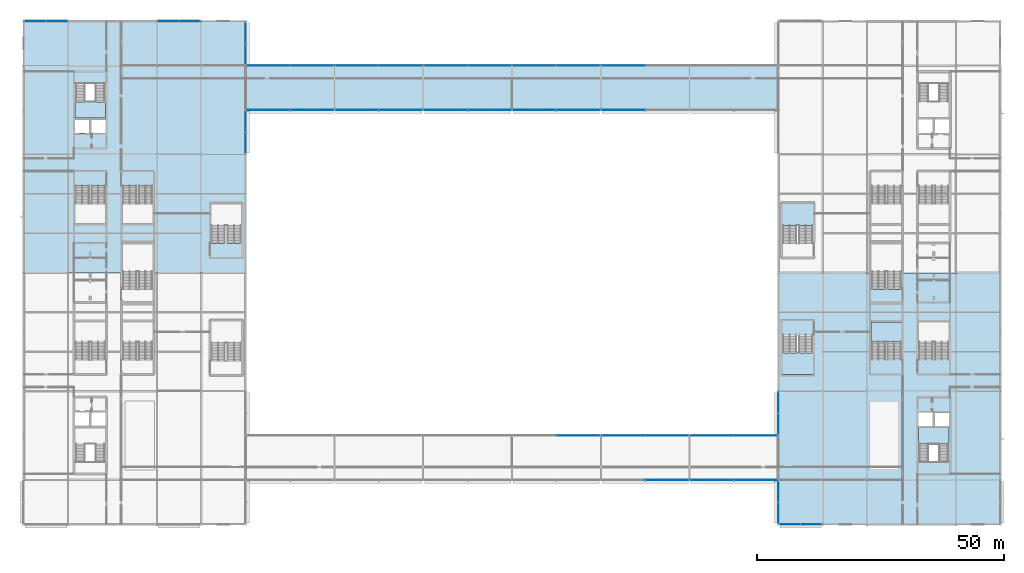
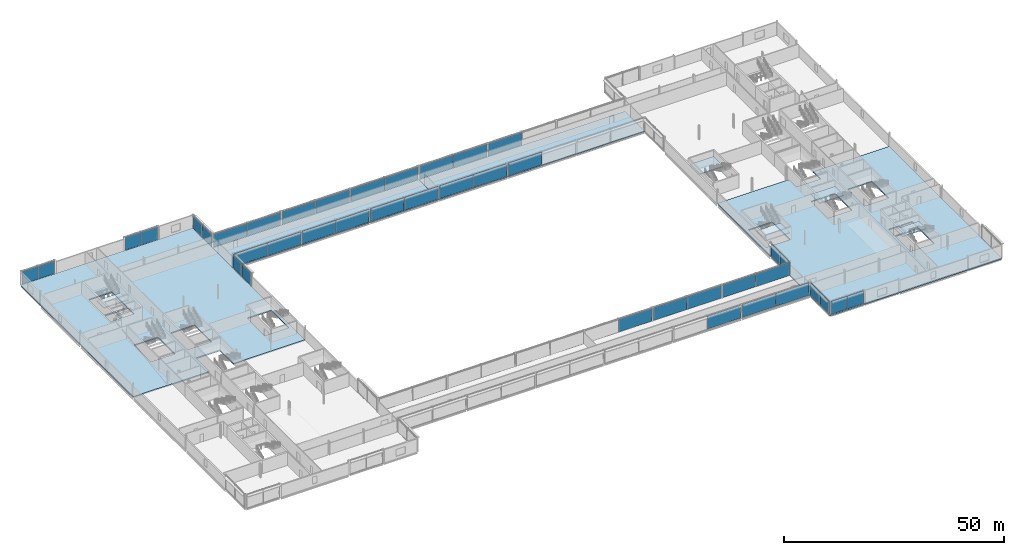
# One storey, part 51 of 96: 40 plates, 9 slabs, 27 elements without a shape of their own.
"""IFC4 building model written with IfcOpenShell, lengths in metres."""

from ifc_helpers import new_model, si_unit, direction, frame, origin, origin_2d, place, context, subcontext, project, spatial, polyline, rectangle, outline, extrude, material, layer, layer_set, type_object, element, aggregate, save


model = new_model("IFC4")

# Units and contexts
model_context = context("Model", 3, precision=1e-05, world=origin(), true_north=direction((0.0, 1.0)))
body_context = subcontext(model_context, "Body", "Model", "MODEL_VIEW")
ifc_project = project(units=[si_unit("LENGTHUNIT", "METRE"), si_unit("AREAUNIT", "SQUARE_METRE"), si_unit("VOLUMEUNIT", "CUBIC_METRE"), si_unit("PLANEANGLEUNIT", "RADIAN"), si_unit("MASSUNIT", "GRAM", prefix="KILO")], contexts=[model_context])

# Site, building, storey
site_placement = place(None, origin())
site = spatial("IfcSite", under=ifc_project, at=site_placement, CompositionType="ELEMENT")
building_placement = place(site_placement, origin())
building = spatial("IfcBuilding", under=site, at=building_placement, Name="Kisiwana Market Hall", CompositionType="ELEMENT")
storey_placement = place(building_placement, frame((0.0, 0.0, 25.5)))
storey = spatial("IfcBuildingStorey", under=building, at=storey_placement, Name="L05", CompositionType="ELEMENT", Elevation=25.5)

# Curtain wall, plates
ifc_material_1 = material(Name="Double-glazed solar-control low-E IGU", Category="glass")
ifc_layer_1 = layer(ifc_material_1, 0.159912109375)
ifc_layer_set_1 = layer_set([ifc_layer_1], Name="CW-ZNA-EW-8200")
curtain_wall_type = type_object("IfcCurtainWallType", Name="CW-ZNA-EW-8200", PredefinedType="USERDEFINED", material=ifc_layer_set_1)
curtain_wall_1_placement = place(storey_placement, origin())
curtain_wall_1 = element("IfcCurtainWall", 1, at=curtain_wall_1_placement, inside=storey, type_object=curtain_wall_type, Name="Unitised curtain wall CW-131 (L05)", ObjectType="UNITISED CURTAIN WALL", PredefinedType="USERDEFINED")
ifc_material_2 = material(Name="Double-glazed solar-control low-E IGU", Category="glass")
ifc_layer_2 = layer(ifc_material_2, 0.02392578125)
ifc_layer_set_2 = layer_set([ifc_layer_2], Name="PL-IGU-24")
plate_type_1 = type_object("IfcPlateType", Name="PL-IGU-24", PredefinedType="CURTAIN_PANEL", material=ifc_layer_set_2)
plate_1_placement = place(storey_placement, frame((155.36669921875, 9.0, 0.06005859375), z_axis=(0.0, 0.0, 1.0), x_axis=(1.0, 0.0, 0.0)))
plate_1 = element("IfcPlate", 2, at=plate_1_placement, type_object=plate_type_1, Name="CW-131 panel 1.1", PredefinedType="CURTAIN_PANEL", context=body_context, shape_type="SweptSolid", body=[
    extrude(rectangle(XDim=4.206787109375, YDim=0.02392578125, at=origin_2d()), origin(), (0.0, 0.0, 1.0), 3.534912109375),
])
plate_2_placement = place(storey_placement, frame((159.63330078125, 9.0, 0.06005859375), z_axis=(0.0, 0.0, 1.0), x_axis=(1.0, 0.0, 0.0)))
plate_2 = element("IfcPlate", 3, at=plate_2_placement, type_object=plate_type_1, Name="CW-131 panel 2.1", PredefinedType="CURTAIN_PANEL", context=body_context, shape_type="SweptSolid", body=[
    extrude(rectangle(XDim=4.206787109375, YDim=0.02392578125, at=origin_2d()), origin(), (0.0, 0.0, 1.0), 3.534912109375),
])
aggregate(curtain_wall_1, [plate_1, plate_2])

curtain_wall_2_placement = place(storey_placement, origin())
curtain_wall_2 = element("IfcCurtainWall", 4, at=curtain_wall_2_placement, inside=storey, type_object=curtain_wall_type, Name="Unitised curtain wall CW-137 (L05)", ObjectType="UNITISED CURTAIN WALL", PredefinedType="USERDEFINED")
plate_3_placement = place(storey_placement, frame((139.557861328125, 18.0, 0.06005859375), z_axis=(0.0, 0.0, 1.0), x_axis=(1.0, 0.0, 0.0)))
plate_3 = element("IfcPlate", 5, at=plate_3_placement, type_object=plate_type_1, Name="CW-137 panel 1.1", PredefinedType="CURTAIN_PANEL", context=body_context, shape_type="SweptSolid", body=[
    extrude(rectangle(XDim=8.745849609375, YDim=0.02392578125, at=origin_2d()), origin(), (0.0, 0.0, 1.0), 3.534912109375),
])
plate_4_placement = place(storey_placement, frame((148.36376953125, 18.0, 0.06005859375), z_axis=(0.0, 0.0, 1.0), x_axis=(1.0, 0.0, 0.0)))
plate_4 = element("IfcPlate", 6, at=plate_4_placement, type_object=plate_type_1, Name="CW-137 panel 2.1", PredefinedType="CURTAIN_PANEL", context=body_context, shape_type="SweptSolid", body=[
    extrude(rectangle(XDim=8.745849609375, YDim=0.02392578125, at=origin_2d()), origin(), (0.0, 0.0, 1.0), 3.534912109375),
])
aggregate(curtain_wall_2, [plate_3, plate_4])

# Curtain wall, plate
curtain_wall_3_placement = place(storey_placement, origin())
curtain_wall_3 = element("IfcCurtainWall", 7, at=curtain_wall_3_placement, inside=storey, type_object=curtain_wall_type, Name="Unitised curtain wall CW-141 (L05)", ObjectType="UNITISED CURTAIN WALL", PredefinedType="USERDEFINED")
plate_5_placement = place(storey_placement, frame((112.422607421875, 27.0, 0.06005859375), z_axis=(0.0, 0.0, 1.0), x_axis=(1.0, 0.0, 0.0)))
plate_5 = element("IfcPlate", 8, at=plate_5_placement, type_object=plate_type_1, Name="CW-141 panel 2.1", PredefinedType="CURTAIN_PANEL", context=body_context, shape_type="SweptSolid", body=[
    extrude(rectangle(XDim=8.784912109375, YDim=0.02392578125, at=origin_2d()), origin(), (0.0, 0.0, 1.0), 3.534912109375),
])
aggregate(curtain_wall_3, [plate_5])

# Curtain wall, plates
curtain_wall_4_placement = place(storey_placement, origin())
curtain_wall_4 = element("IfcCurtainWall", 9, at=curtain_wall_4_placement, inside=storey, type_object=curtain_wall_type, Name="Unitised curtain wall CW-143 (L05)", ObjectType="UNITISED CURTAIN WALL", PredefinedType="USERDEFINED")
plate_6_placement = place(storey_placement, frame((139.557861328125, 27.0, 0.06005859375), z_axis=(0.0, 0.0, 1.0), x_axis=(1.0, 0.0, 0.0)))
plate_6 = element("IfcPlate", 10, at=plate_6_placement, type_object=plate_type_1, Name="CW-143 panel 1.1", PredefinedType="CURTAIN_PANEL", context=body_context, shape_type="SweptSolid", body=[
    extrude(rectangle(XDim=8.745849609375, YDim=0.02392578125, at=origin_2d()), origin(), (0.0, 0.0, 1.0), 3.534912109375),
])
plate_7_placement = place(storey_placement, frame((148.36376953125, 27.0, 0.06005859375), z_axis=(0.0, 0.0, 1.0), x_axis=(1.0, 0.0, 0.0)))
plate_7 = element("IfcPlate", 11, at=plate_7_placement, type_object=plate_type_1, Name="CW-143 panel 2.1", PredefinedType="CURTAIN_PANEL", context=body_context, shape_type="SweptSolid", body=[
    extrude(rectangle(XDim=8.745849609375, YDim=0.02392578125, at=origin_2d()), origin(), (0.0, 0.0, 1.0), 3.534912109375),
])
aggregate(curtain_wall_4, [plate_6, plate_7])

curtain_wall_5_placement = place(storey_placement, origin())
curtain_wall_5 = element("IfcCurtainWall", 12, at=curtain_wall_5_placement, inside=storey, type_object=curtain_wall_type, Name="Unitised curtain wall CW-145 (L05)", ObjectType="UNITISED CURTAIN WALL", PredefinedType="USERDEFINED")
plate_8_placement = place(storey_placement, frame((67.577392578125, 93.0, 0.06005859375), z_axis=(0.0, 0.0, 1.0), x_axis=(1.0, 0.0, 0.0)))
plate_8 = element("IfcPlate", 13, at=plate_8_placement, type_object=plate_type_1, Name="CW-145 panel 1.1", PredefinedType="CURTAIN_PANEL", context=body_context, shape_type="SweptSolid", body=[
    extrude(rectangle(XDim=8.784912109375, YDim=0.02392578125, at=origin_2d()), origin(), (0.0, 0.0, 1.0), 3.534912109375),
])
plate_9_placement = place(storey_placement, frame((76.422607421875, 93.0, 0.06005859375), z_axis=(0.0, 0.0, 1.0), x_axis=(1.0, 0.0, 0.0)))
plate_9 = element("IfcPlate", 14, at=plate_9_placement, type_object=plate_type_1, Name="CW-145 panel 2.1", PredefinedType="CURTAIN_PANEL", context=body_context, shape_type="SweptSolid", body=[
    extrude(rectangle(XDim=8.784912109375, YDim=0.02392578125, at=origin_2d()), origin(), (0.0, 0.0, 1.0), 3.534912109375),
])
aggregate(curtain_wall_5, [plate_8, plate_9])

curtain_wall_6_placement = place(storey_placement, origin())
curtain_wall_6 = element("IfcCurtainWall", 15, at=curtain_wall_6_placement, inside=storey, type_object=curtain_wall_type, Name="Unitised curtain wall CW-147 (L05)", ObjectType="UNITISED CURTAIN WALL", PredefinedType="USERDEFINED")
plate_10_placement = place(storey_placement, frame((103.577392578125, 93.0, 0.06005859375), z_axis=(0.0, 0.0, 1.0), x_axis=(1.0, 0.0, 0.0)))
plate_10 = element("IfcPlate", 16, at=plate_10_placement, type_object=plate_type_1, Name="CW-147 panel 1.1", PredefinedType="CURTAIN_PANEL", context=body_context, shape_type="SweptSolid", body=[
    extrude(rectangle(XDim=8.784912109375, YDim=0.02392578125, at=origin_2d()), origin(), (0.0, 0.0, 1.0), 3.534912109375),
])
plate_11_placement = place(storey_placement, frame((112.422607421875, 93.0, 0.06005859375), z_axis=(0.0, 0.0, 1.0), x_axis=(1.0, 0.0, 0.0)))
plate_11 = element("IfcPlate", 17, at=plate_11_placement, type_object=plate_type_1, Name="CW-147 panel 2.1", PredefinedType="CURTAIN_PANEL", context=body_context, shape_type="SweptSolid", body=[
    extrude(rectangle(XDim=8.784912109375, YDim=0.02392578125, at=origin_2d()), origin(), (0.0, 0.0, 1.0), 3.534912109375),
])
aggregate(curtain_wall_6, [plate_10, plate_11])

curtain_wall_7_placement = place(storey_placement, origin())
curtain_wall_7 = element("IfcCurtainWall", 18, at=curtain_wall_7_placement, inside=storey, type_object=curtain_wall_type, Name="Unitised curtain wall CW-151 (L05)", ObjectType="UNITISED CURTAIN WALL", PredefinedType="USERDEFINED")
plate_12_placement = place(storey_placement, frame((67.577392578125, 102.0, 0.06005859375), z_axis=(0.0, 0.0, 1.0), x_axis=(1.0, 0.0, 0.0)))
plate_12 = element("IfcPlate", 19, at=plate_12_placement, type_object=plate_type_1, Name="CW-151 panel 1.1", PredefinedType="CURTAIN_PANEL", context=body_context, shape_type="SweptSolid", body=[
    extrude(rectangle(XDim=8.784912109375, YDim=0.02392578125, at=origin_2d()), origin(), (0.0, 0.0, 1.0), 3.534912109375),
])
plate_13_placement = place(storey_placement, frame((76.422607421875, 102.0, 0.06005859375), z_axis=(0.0, 0.0, 1.0), x_axis=(1.0, 0.0, 0.0)))
plate_13 = element("IfcPlate", 20, at=plate_13_placement, type_object=plate_type_1, Name="CW-151 panel 2.1", PredefinedType="CURTAIN_PANEL", context=body_context, shape_type="SweptSolid", body=[
    extrude(rectangle(XDim=8.784912109375, YDim=0.02392578125, at=origin_2d()), origin(), (0.0, 0.0, 1.0), 3.534912109375),
])
aggregate(curtain_wall_7, [plate_12, plate_13])

curtain_wall_8_placement = place(storey_placement, origin())
curtain_wall_8 = element("IfcCurtainWall", 21, at=curtain_wall_8_placement, inside=storey, type_object=curtain_wall_type, Name="Unitised curtain wall CW-153 (L05)", ObjectType="UNITISED CURTAIN WALL", PredefinedType="USERDEFINED")
plate_14_placement = place(storey_placement, frame((103.577392578125, 102.0, 0.06005859375), z_axis=(0.0, 0.0, 1.0), x_axis=(1.0, 0.0, 0.0)))
plate_14 = element("IfcPlate", 22, at=plate_14_placement, type_object=plate_type_1, Name="CW-153 panel 1.1", PredefinedType="CURTAIN_PANEL", context=body_context, shape_type="SweptSolid", body=[
    extrude(rectangle(XDim=8.784912109375, YDim=0.02392578125, at=origin_2d()), origin(), (0.0, 0.0, 1.0), 3.534912109375),
])
plate_15_placement = place(storey_placement, frame((112.422607421875, 102.0, 0.06005859375), z_axis=(0.0, 0.0, 1.0), x_axis=(1.0, 0.0, 0.0)))
plate_15 = element("IfcPlate", 23, at=plate_15_placement, type_object=plate_type_1, Name="CW-153 panel 2.1", PredefinedType="CURTAIN_PANEL", context=body_context, shape_type="SweptSolid", body=[
    extrude(rectangle(XDim=8.784912109375, YDim=0.02392578125, at=origin_2d()), origin(), (0.0, 0.0, 1.0), 3.534912109375),
])
aggregate(curtain_wall_8, [plate_14, plate_15])

curtain_wall_9_placement = place(storey_placement, origin())
curtain_wall_9 = element("IfcCurtainWall", 24, at=curtain_wall_9_placement, inside=storey, type_object=curtain_wall_type, Name="Unitised curtain wall CW-157 (L05)", ObjectType="UNITISED CURTAIN WALL", PredefinedType="USERDEFINED")
plate_16_placement = place(storey_placement, frame((29.32666015625, 111.0, 0.06005859375), z_axis=(0.0, 0.0, 1.0), x_axis=(1.0, 0.0, 0.0)))
plate_16 = element("IfcPlate", 25, at=plate_16_placement, type_object=plate_type_1, Name="CW-157 panel 1.1", PredefinedType="CURTAIN_PANEL", context=body_context, shape_type="SweptSolid", body=[
    extrude(rectangle(XDim=4.2333984375, YDim=0.02392578125, at=origin_2d()), origin(), (0.0, 0.0, 1.0), 3.534912109375),
])
plate_17_placement = place(storey_placement, frame((33.6201171875, 111.0, 0.06005859375), z_axis=(0.0, 0.0, 1.0), x_axis=(1.0, 0.0, 0.0)))
plate_17 = element("IfcPlate", 26, at=plate_17_placement, type_object=plate_type_1, Name="CW-157 panel 2.1", PredefinedType="CURTAIN_PANEL", context=body_context, shape_type="SweptSolid", body=[
    extrude(rectangle(XDim=4.2333984375, YDim=0.02392578125, at=origin_2d()), origin(), (0.0, 0.0, 1.0), 3.534912109375),
])
aggregate(curtain_wall_9, [plate_16, plate_17])

curtain_wall_10_placement = place(storey_placement, origin())
curtain_wall_10 = element("IfcCurtainWall", 27, at=curtain_wall_10_placement, inside=storey, type_object=curtain_wall_type, Name="Unitised curtain wall CW-163 (L05)", ObjectType="UNITISED CURTAIN WALL", PredefinedType="USERDEFINED")
plate_18_placement = place(storey_placement, frame((45.0, 104.36669921875, 0.06005859375), z_axis=(0.0, 0.0, 1.0), x_axis=(0.0, 1.0, 0.0)))
plate_18 = element("IfcPlate", 28, at=plate_18_placement, type_object=plate_type_1, Name="CW-163 panel 1.1", PredefinedType="CURTAIN_PANEL", context=body_context, shape_type="SweptSolid", body=[
    extrude(rectangle(XDim=4.206787109375, YDim=0.02392578125, at=origin_2d()), origin(), (0.0, 0.0, 1.0), 3.534912109375),
])
plate_19_placement = place(storey_placement, frame((45.0, 108.63330078125, 0.06005859375), z_axis=(0.0, 0.0, 1.0), x_axis=(0.0, 1.0, 0.0)))
plate_19 = element("IfcPlate", 29, at=plate_19_placement, type_object=plate_type_1, Name="CW-163 panel 2.1", PredefinedType="CURTAIN_PANEL", context=body_context, shape_type="SweptSolid", body=[
    extrude(rectangle(XDim=4.206787109375, YDim=0.02392578125, at=origin_2d()), origin(), (0.0, 0.0, 1.0), 3.534912109375),
])
aggregate(curtain_wall_10, [plate_18, plate_19])

curtain_wall_11_placement = place(storey_placement, origin())
curtain_wall_11 = element("IfcCurtainWall", 30, at=curtain_wall_11_placement, inside=storey, type_object=curtain_wall_type, Name="Unitised curtain wall CW-165 (L05)", ObjectType="UNITISED CURTAIN WALL", PredefinedType="USERDEFINED")
plate_20_placement = place(storey_placement, frame((153.0, 29.36669921875, 0.06005859375), z_axis=(0.0, 0.0, 1.0), x_axis=(0.0, 1.0, 0.0)))
plate_20 = element("IfcPlate", 31, at=plate_20_placement, type_object=plate_type_1, Name="CW-165 panel 1.1", PredefinedType="CURTAIN_PANEL", context=body_context, shape_type="SweptSolid", body=[
    extrude(rectangle(XDim=4.206787109375, YDim=0.02392578125, at=origin_2d()), origin(), (0.0, 0.0, 1.0), 3.534912109375),
])
plate_21_placement = place(storey_placement, frame((153.0, 33.63330078125, 0.06005859375), z_axis=(0.0, 0.0, 1.0), x_axis=(0.0, 1.0, 0.0)))
plate_21 = element("IfcPlate", 32, at=plate_21_placement, type_object=plate_type_1, Name="CW-165 panel 2.1", PredefinedType="CURTAIN_PANEL", context=body_context, shape_type="SweptSolid", body=[
    extrude(rectangle(XDim=4.206787109375, YDim=0.02392578125, at=origin_2d()), origin(), (0.0, 0.0, 1.0), 3.534912109375),
])
aggregate(curtain_wall_11, [plate_20, plate_21])

# Curtain wall, plate
curtain_wall_12_placement = place(storey_placement, origin())
curtain_wall_12 = element("IfcCurtainWall", 33, at=curtain_wall_12_placement, inside=storey, type_object=curtain_wall_type, Name="Unitised curtain wall CW-136 (L05)", ObjectType="UNITISED CURTAIN WALL", PredefinedType="USERDEFINED")
ifc_material_3 = material(Name="Double-glazed acoustic laminated IGU", Category="glass")
ifc_layer_3 = layer(ifc_material_3, 0.028076171875)
ifc_layer_set_3 = layer_set([ifc_layer_3], Name="PL-IGU-28")
plate_type_2 = type_object("IfcPlateType", Name="PL-IGU-28", PredefinedType="CURTAIN_PANEL", material=ifc_layer_set_3)
plate_22_placement = place(storey_placement, frame((130.422607421875, 18.0, 0.06005859375), z_axis=(0.0, 0.0, 1.0), x_axis=(1.0, 0.0, 0.0)))
plate_22 = element("IfcPlate", 34, at=plate_22_placement, type_object=plate_type_2, Name="CW-136 panel 2.1", PredefinedType="CURTAIN_PANEL", context=body_context, shape_type="SweptSolid", body=[
    extrude(rectangle(XDim=8.784912109375, YDim=0.028076171875, at=origin_2d()), origin(), (0.0, 0.0, 1.0), 3.534912109375),
])
aggregate(curtain_wall_12, [plate_22])

# Curtain wall, plates
curtain_wall_13_placement = place(storey_placement, origin())
curtain_wall_13 = element("IfcCurtainWall", 35, at=curtain_wall_13_placement, inside=storey, type_object=curtain_wall_type, Name="Unitised curtain wall CW-142 (L05)", ObjectType="UNITISED CURTAIN WALL", PredefinedType="USERDEFINED")
plate_23_placement = place(storey_placement, frame((121.577392578125, 27.0, 0.06005859375), z_axis=(0.0, 0.0, 1.0), x_axis=(1.0, 0.0, 0.0)))
plate_23 = element("IfcPlate", 36, at=plate_23_placement, type_object=plate_type_2, Name="CW-142 panel 1.1", PredefinedType="CURTAIN_PANEL", context=body_context, shape_type="SweptSolid", body=[
    extrude(rectangle(XDim=8.784912109375, YDim=0.028076171875, at=origin_2d()), origin(), (0.0, 0.0, 1.0), 3.534912109375),
])
plate_24_placement = place(storey_placement, frame((130.422607421875, 27.0, 0.06005859375), z_axis=(0.0, 0.0, 1.0), x_axis=(1.0, 0.0, 0.0)))
plate_24 = element("IfcPlate", 37, at=plate_24_placement, type_object=plate_type_2, Name="CW-142 panel 2.1", PredefinedType="CURTAIN_PANEL", context=body_context, shape_type="SweptSolid", body=[
    extrude(rectangle(XDim=8.784912109375, YDim=0.028076171875, at=origin_2d()), origin(), (0.0, 0.0, 1.0), 3.534912109375),
])
aggregate(curtain_wall_13, [plate_23, plate_24])

curtain_wall_14_placement = place(storey_placement, origin())
curtain_wall_14 = element("IfcCurtainWall", 38, at=curtain_wall_14_placement, inside=storey, type_object=curtain_wall_type, Name="Unitised curtain wall CW-144 (L05)", ObjectType="UNITISED CURTAIN WALL", PredefinedType="USERDEFINED")
plate_25_placement = place(storey_placement, frame((49.63623046875, 93.0, 0.06005859375), z_axis=(0.0, 0.0, 1.0), x_axis=(1.0, 0.0, 0.0)))
plate_25 = element("IfcPlate", 39, at=plate_25_placement, type_object=plate_type_2, Name="CW-144 panel 1.1", PredefinedType="CURTAIN_PANEL", context=body_context, shape_type="SweptSolid", body=[
    extrude(rectangle(XDim=8.745849609375, YDim=0.028076171875, at=origin_2d()), origin(), (0.0, 0.0, 1.0), 3.534912109375),
])
plate_26_placement = place(storey_placement, frame((58.442138671875, 93.0, 0.06005859375), z_axis=(0.0, 0.0, 1.0), x_axis=(1.0, 0.0, 0.0)))
plate_26 = element("IfcPlate", 40, at=plate_26_placement, type_object=plate_type_2, Name="CW-144 panel 2.1", PredefinedType="CURTAIN_PANEL", context=body_context, shape_type="SweptSolid", body=[
    extrude(rectangle(XDim=8.745849609375, YDim=0.028076171875, at=origin_2d()), origin(), (0.0, 0.0, 1.0), 3.534912109375),
])
aggregate(curtain_wall_14, [plate_25, plate_26])

curtain_wall_15_placement = place(storey_placement, origin())
curtain_wall_15 = element("IfcCurtainWall", 41, at=curtain_wall_15_placement, inside=storey, type_object=curtain_wall_type, Name="Unitised curtain wall CW-146 (L05)", ObjectType="UNITISED CURTAIN WALL", PredefinedType="USERDEFINED")
plate_27_placement = place(storey_placement, frame((85.577392578125, 93.0, 0.06005859375), z_axis=(0.0, 0.0, 1.0), x_axis=(1.0, 0.0, 0.0)))
plate_27 = element("IfcPlate", 42, at=plate_27_placement, type_object=plate_type_2, Name="CW-146 panel 1.1", PredefinedType="CURTAIN_PANEL", context=body_context, shape_type="SweptSolid", body=[
    extrude(rectangle(XDim=8.784912109375, YDim=0.028076171875, at=origin_2d()), origin(), (0.0, 0.0, 1.0), 3.534912109375),
])
plate_28_placement = place(storey_placement, frame((94.422607421875, 93.0, 0.06005859375), z_axis=(0.0, 0.0, 1.0), x_axis=(1.0, 0.0, 0.0)))
plate_28 = element("IfcPlate", 43, at=plate_28_placement, type_object=plate_type_2, Name="CW-146 panel 2.1", PredefinedType="CURTAIN_PANEL", context=body_context, shape_type="SweptSolid", body=[
    extrude(rectangle(XDim=8.784912109375, YDim=0.028076171875, at=origin_2d()), origin(), (0.0, 0.0, 1.0), 3.534912109375),
])
aggregate(curtain_wall_15, [plate_27, plate_28])

# Curtain wall, plate
curtain_wall_16_placement = place(storey_placement, origin())
curtain_wall_16 = element("IfcCurtainWall", 44, at=curtain_wall_16_placement, inside=storey, type_object=curtain_wall_type, Name="Unitised curtain wall CW-148 (L05)", ObjectType="UNITISED CURTAIN WALL", PredefinedType="USERDEFINED")
plate_29_placement = place(storey_placement, frame((121.577392578125, 93.0, 0.06005859375), z_axis=(0.0, 0.0, 1.0), x_axis=(1.0, 0.0, 0.0)))
plate_29 = element("IfcPlate", 45, at=plate_29_placement, type_object=plate_type_2, Name="CW-148 panel 1.1", PredefinedType="CURTAIN_PANEL", context=body_context, shape_type="SweptSolid", body=[
    extrude(rectangle(XDim=8.784912109375, YDim=0.028076171875, at=origin_2d()), origin(), (0.0, 0.0, 1.0), 3.534912109375),
])
aggregate(curtain_wall_16, [plate_29])

# Curtain wall, plates
curtain_wall_17_placement = place(storey_placement, origin())
curtain_wall_17 = element("IfcCurtainWall", 46, at=curtain_wall_17_placement, inside=storey, type_object=curtain_wall_type, Name="Unitised curtain wall CW-150 (L05)", ObjectType="UNITISED CURTAIN WALL", PredefinedType="USERDEFINED")
plate_30_placement = place(storey_placement, frame((49.63623046875, 102.0, 0.06005859375), z_axis=(0.0, 0.0, 1.0), x_axis=(1.0, 0.0, 0.0)))
plate_30 = element("IfcPlate", 47, at=plate_30_placement, type_object=plate_type_2, Name="CW-150 panel 1.1", PredefinedType="CURTAIN_PANEL", context=body_context, shape_type="SweptSolid", body=[
    extrude(rectangle(XDim=8.745849609375, YDim=0.028076171875, at=origin_2d()), origin(), (0.0, 0.0, 1.0), 3.534912109375),
])
plate_31_placement = place(storey_placement, frame((58.442138671875, 102.0, 0.06005859375), z_axis=(0.0, 0.0, 1.0), x_axis=(1.0, 0.0, 0.0)))
plate_31 = element("IfcPlate", 48, at=plate_31_placement, type_object=plate_type_2, Name="CW-150 panel 2.1", PredefinedType="CURTAIN_PANEL", context=body_context, shape_type="SweptSolid", body=[
    extrude(rectangle(XDim=8.745849609375, YDim=0.028076171875, at=origin_2d()), origin(), (0.0, 0.0, 1.0), 3.534912109375),
])
aggregate(curtain_wall_17, [plate_30, plate_31])

curtain_wall_18_placement = place(storey_placement, origin())
curtain_wall_18 = element("IfcCurtainWall", 49, at=curtain_wall_18_placement, inside=storey, type_object=curtain_wall_type, Name="Unitised curtain wall CW-152 (L05)", ObjectType="UNITISED CURTAIN WALL", PredefinedType="USERDEFINED")
plate_32_placement = place(storey_placement, frame((85.577392578125, 102.0, 0.06005859375), z_axis=(0.0, 0.0, 1.0), x_axis=(1.0, 0.0, 0.0)))
plate_32 = element("IfcPlate", 50, at=plate_32_placement, type_object=plate_type_2, Name="CW-152 panel 1.1", PredefinedType="CURTAIN_PANEL", context=body_context, shape_type="SweptSolid", body=[
    extrude(rectangle(XDim=8.784912109375, YDim=0.028076171875, at=origin_2d()), origin(), (0.0, 0.0, 1.0), 3.534912109375),
])
plate_33_placement = place(storey_placement, frame((94.422607421875, 102.0, 0.06005859375), z_axis=(0.0, 0.0, 1.0), x_axis=(1.0, 0.0, 0.0)))
plate_33 = element("IfcPlate", 51, at=plate_33_placement, type_object=plate_type_2, Name="CW-152 panel 2.1", PredefinedType="CURTAIN_PANEL", context=body_context, shape_type="SweptSolid", body=[
    extrude(rectangle(XDim=8.784912109375, YDim=0.028076171875, at=origin_2d()), origin(), (0.0, 0.0, 1.0), 3.534912109375),
])
aggregate(curtain_wall_18, [plate_32, plate_33])

# Curtain wall, plate
curtain_wall_19_placement = place(storey_placement, origin())
curtain_wall_19 = element("IfcCurtainWall", 52, at=curtain_wall_19_placement, inside=storey, type_object=curtain_wall_type, Name="Unitised curtain wall CW-154 (L05)", ObjectType="UNITISED CURTAIN WALL", PredefinedType="USERDEFINED")
plate_34_placement = place(storey_placement, frame((121.577392578125, 102.0, 0.06005859375), z_axis=(0.0, 0.0, 1.0), x_axis=(1.0, 0.0, 0.0)))
plate_34 = element("IfcPlate", 53, at=plate_34_placement, type_object=plate_type_2, Name="CW-154 panel 1.1", PredefinedType="CURTAIN_PANEL", context=body_context, shape_type="SweptSolid", body=[
    extrude(rectangle(XDim=8.784912109375, YDim=0.028076171875, at=origin_2d()), origin(), (0.0, 0.0, 1.0), 3.534912109375),
])
aggregate(curtain_wall_19, [plate_34])

# Curtain wall, plates
curtain_wall_20_placement = place(storey_placement, origin())
curtain_wall_20 = element("IfcCurtainWall", 54, at=curtain_wall_20_placement, inside=storey, type_object=curtain_wall_type, Name="Unitised curtain wall CW-156 (L05)", ObjectType="UNITISED CURTAIN WALL", PredefinedType="USERDEFINED")
plate_35_placement = place(storey_placement, frame((2.3798828125, 111.0, 0.06005859375), z_axis=(0.0, 0.0, 1.0), x_axis=(1.0, 0.0, 0.0)))
plate_35 = element("IfcPlate", 55, at=plate_35_placement, type_object=plate_type_2, Name="CW-156 panel 1.1", PredefinedType="CURTAIN_PANEL", context=body_context, shape_type="SweptSolid", body=[
    extrude(rectangle(XDim=4.2333984375, YDim=0.028076171875, at=origin_2d()), origin(), (0.0, 0.0, 1.0), 3.534912109375),
])
plate_36_placement = place(storey_placement, frame((6.67333984375, 111.0, 0.06005859375), z_axis=(0.0, 0.0, 1.0), x_axis=(1.0, 0.0, 0.0)))
plate_36 = element("IfcPlate", 56, at=plate_36_placement, type_object=plate_type_2, Name="CW-156 panel 2.1", PredefinedType="CURTAIN_PANEL", context=body_context, shape_type="SweptSolid", body=[
    extrude(rectangle(XDim=4.2333984375, YDim=0.028076171875, at=origin_2d()), origin(), (0.0, 0.0, 1.0), 3.534912109375),
])
aggregate(curtain_wall_20, [plate_35, plate_36])

curtain_wall_21_placement = place(storey_placement, origin())
curtain_wall_21 = element("IfcCurtainWall", 57, at=curtain_wall_21_placement, inside=storey, type_object=curtain_wall_type, Name="Unitised curtain wall CW-162 (L05)", ObjectType="UNITISED CURTAIN WALL", PredefinedType="USERDEFINED")
plate_37_placement = place(storey_placement, frame((45.0, 86.36669921875, 0.06005859375), z_axis=(0.0, 0.0, 1.0), x_axis=(0.0, 1.0, 0.0)))
plate_37 = element("IfcPlate", 58, at=plate_37_placement, type_object=plate_type_2, Name="CW-162 panel 1.1", PredefinedType="CURTAIN_PANEL", context=body_context, shape_type="SweptSolid", body=[
    extrude(rectangle(XDim=4.206787109375, YDim=0.028076171875, at=origin_2d()), origin(), (0.0, 0.0, 1.0), 3.534912109375),
])
plate_38_placement = place(storey_placement, frame((45.0, 90.63330078125, 0.06005859375), z_axis=(0.0, 0.0, 1.0), x_axis=(0.0, 1.0, 0.0)))
plate_38 = element("IfcPlate", 59, at=plate_38_placement, type_object=plate_type_2, Name="CW-162 panel 2.1", PredefinedType="CURTAIN_PANEL", context=body_context, shape_type="SweptSolid", body=[
    extrude(rectangle(XDim=4.206787109375, YDim=0.028076171875, at=origin_2d()), origin(), (0.0, 0.0, 1.0), 3.534912109375),
])
aggregate(curtain_wall_21, [plate_37, plate_38])

curtain_wall_22_placement = place(storey_placement, origin())
curtain_wall_22 = element("IfcCurtainWall", 60, at=curtain_wall_22_placement, inside=storey, type_object=curtain_wall_type, Name="Unitised curtain wall CW-164 (L05)", ObjectType="UNITISED CURTAIN WALL", PredefinedType="USERDEFINED")
plate_39_placement = place(storey_placement, frame((153.0, 11.36669921875, 0.06005859375), z_axis=(0.0, 0.0, 1.0), x_axis=(0.0, 1.0, 0.0)))
plate_39 = element("IfcPlate", 61, at=plate_39_placement, type_object=plate_type_2, Name="CW-164 panel 1.1", PredefinedType="CURTAIN_PANEL", context=body_context, shape_type="SweptSolid", body=[
    extrude(rectangle(XDim=4.206787109375, YDim=0.028076171875, at=origin_2d()), origin(), (0.0, 0.0, 1.0), 3.534912109375),
])
plate_40_placement = place(storey_placement, frame((153.0, 15.63330078125, 0.06005859375), z_axis=(0.0, 0.0, 1.0), x_axis=(0.0, 1.0, 0.0)))
plate_40 = element("IfcPlate", 62, at=plate_40_placement, type_object=plate_type_2, Name="CW-164 panel 2.1", PredefinedType="CURTAIN_PANEL", context=body_context, shape_type="SweptSolid", body=[
    extrude(rectangle(XDim=4.206787109375, YDim=0.028076171875, at=origin_2d()), origin(), (0.0, 0.0, 1.0), 3.534912109375),
])
aggregate(curtain_wall_22, [plate_39, plate_40])

# Stair, slab
ifc_material_4 = material(Name="Concrete C32/40", Category="concrete")
stair_type_1 = type_object("IfcStairType", Name="ST-TWR-3900", PredefinedType="TWO_STRAIGHT_RUN_STAIR", material=ifc_material_4)
stair_1_placement = place(storey_placement, origin())
stair_1 = element("IfcStair", 63, at=stair_1_placement, inside=storey, type_object=stair_type_1, Name="Escape stair ST-W1-L05", PredefinedType="TWO_STRAIGHT_RUN_STAIR")
ifc_material_5 = material(Name="Concrete C32/40", Category="concrete")
ifc_layer_4 = layer(ifc_material_5, 0.239990234375)
ifc_layer_set_4 = layer_set([ifc_layer_4], Name="SL-LANDING-160")
slab_type_1 = type_object("IfcSlabType", Name="SL-LANDING-160", PredefinedType="LANDING", material=ifc_layer_set_4)
slab_1_placement = place(storey_placement, frame((0.0, 0.0, 1.7099609375)))
slab_1 = element("IfcSlab", 64, at=slab_1_placement, type_object=slab_type_1, Name="ST-W1-L05 landing 1 S-267", PredefinedType="LANDING", context=body_context, shape_type="SweptSolid", body=[
    extrude(outline(polyline([(10.405029296875, 91.35498046875), (16.594970703125, 91.35498046875), (16.594970703125, 94.666015625), (10.405029296875, 94.666015625), (10.405029296875, 91.35498046875)])), origin(), (0.0, 0.0, 1.0), 0.239990234375),
])
aggregate(stair_1, [slab_1])

stair_2_placement = place(storey_placement, origin())
stair_2 = element("IfcStair", 65, at=stair_2_placement, inside=storey, type_object=stair_type_1, Name="Escape stair ST-E2-L05", PredefinedType="TWO_STRAIGHT_RUN_STAIR")
slab_2_placement = place(storey_placement, frame((0.0, 0.0, 1.7099609375)))
slab_2 = element("IfcSlab", 66, at=slab_2_placement, type_object=slab_type_1, Name="ST-E2-L05 landing 1 S-260", PredefinedType="LANDING", context=body_context, shape_type="SweptSolid", body=[
    extrude(outline(polyline([(181.3798828125, 25.30908203125), (187.6201171875, 25.30908203125), (187.6201171875, 28.6201171875), (181.3798828125, 28.6201171875), (181.3798828125, 25.30908203125)])), origin(), (0.0, 0.0, 1.0), 0.239990234375),
])
aggregate(stair_2, [slab_2])

ifc_material_6 = material(Name="Concrete C32/40", Category="concrete")
stair_type_2 = type_object("IfcStairType", Name="ST-ESC-3900", PredefinedType="TWO_STRAIGHT_RUN_STAIR", material=ifc_material_6)
stair_3_placement = place(storey_placement, origin())
stair_3 = element("IfcStair", 67, at=stair_3_placement, inside=storey, type_object=stair_type_2, Name="Escape stair ST-E7-L05", PredefinedType="TWO_STRAIGHT_RUN_STAIR")
slab_3_placement = place(storey_placement, frame((0.0, 0.0, 1.7099609375)))
slab_3 = element("IfcSlab", 68, at=slab_3_placement, type_object=slab_type_1, Name="ST-E7-L05 landing 1 S-264", PredefinedType="LANDING", context=body_context, shape_type="SweptSolid", body=[
    extrude(outline(polyline([(171.739990234375, 46.01953125), (178.06005859375, 46.01953125), (178.06005859375, 50.06005859375), (171.739990234375, 50.06005859375), (171.739990234375, 46.01953125)])), origin(), (0.0, 0.0, 1.0), 0.239990234375),
])
aggregate(stair_3, [slab_3])

stair_4_placement = place(storey_placement, origin())
stair_4 = element("IfcStair", 69, at=stair_4_placement, inside=storey, type_object=stair_type_2, Name="Escape stair ST-E9-L05", PredefinedType="TWO_STRAIGHT_RUN_STAIR")
slab_4_placement = place(storey_placement, frame((0.0, 0.0, 1.7099609375)))
slab_4 = element("IfcSlab", 70, at=slab_4_placement, type_object=slab_type_1, Name="ST-E9-L05 landing 1 S-266", PredefinedType="LANDING", context=body_context, shape_type="SweptSolid", body=[
    extrude(outline(polyline([(153.77001953125, 39.340087890625), (160.090087890625, 39.340087890625), (160.090087890625, 43.780517578125), (153.77001953125, 43.780517578125), (153.77001953125, 39.340087890625)])), origin(), (0.0, 0.0, 1.0), 0.239990234375),
])
aggregate(stair_4, [slab_4])

stair_5_placement = place(storey_placement, origin())
stair_5 = element("IfcStair", 71, at=stair_5_placement, inside=storey, type_object=stair_type_2, Name="Escape stair ST-E10-L05", PredefinedType="TWO_STRAIGHT_RUN_STAIR")
slab_5_placement = place(storey_placement, frame((0.0, 0.0, 1.7099609375)))
slab_5 = element("IfcSlab", 72, at=slab_5_placement, type_object=slab_type_1, Name="ST-E10-L05 landing 1 S-259", PredefinedType="LANDING", context=body_context, shape_type="SweptSolid", body=[
    extrude(outline(polyline([(153.77001953125, 69.619384765625), (160.090087890625, 69.619384765625), (160.090087890625, 74.06005859375), (153.77001953125, 74.06005859375), (153.77001953125, 69.619384765625)])), origin(), (0.0, 0.0, 1.0), 0.239990234375),
])
aggregate(stair_5, [slab_5])

# Slabs
ifc_material_7 = material(Name="Concrete C32/40", Category="concrete")
ifc_layer_5 = layer(ifc_material_7, 0.31494140625)
ifc_layer_set_5 = layer_set([ifc_layer_5], Name="SL-OFF-255")
slab_type_2 = type_object("IfcSlabType", Name="SL-OFF-255", PredefinedType="FLOOR", material=ifc_layer_set_5)
slab_6_placement = place(storey_placement, frame((0.0, 0.0, -0.31494140625)))
element("IfcSlab", 73, at=slab_6_placement, inside=storey, type_object=slab_type_2, Name="Structural slab S-251", PredefinedType="FLOOR", context=body_context, shape_type="SweptSolid", body=[
    extrude(outline(polyline([(0.0, 60.0), (19.9599609375, 60.0), (19.9599609375, 66.159912109375), (26.239990234375, 66.159912109375), (26.239990234375, 60.0), (45.0, 60.0), (45.0, 111.0), (0.0, 111.0), (0.0, 60.0)]), holes=[polyline([(10.425048828125, 91.375), (16.574951171875, 91.375), (16.574951171875, 98.324951171875), (10.425048828125, 98.324951171875), (10.425048828125, 91.375)]), polyline([(10.425048828125, 88.324951171875), (13.340087890625, 88.324951171875), (13.340087890625, 91.054931640625), (10.425048828125, 91.054931640625), (10.425048828125, 88.324951171875)]), polyline([(13.659912109375, 88.324951171875), (16.574951171875, 88.324951171875), (16.574951171875, 91.054931640625), (13.659912109375, 91.054931640625), (13.659912109375, 88.324951171875)]), polyline([(10.360107421875, 69.9599609375), (16.639892578125, 69.9599609375), (16.639892578125, 77.6201171875), (10.360107421875, 77.6201171875), (10.360107421875, 69.9599609375)]), polyline([(19.9599609375, 69.9599609375), (26.239990234375, 69.9599609375), (26.239990234375, 77.6201171875), (19.9599609375, 77.6201171875), (19.9599609375, 69.9599609375)]), polyline([(37.929931640625, 65.97998046875), (44.2099609375, 65.97998046875), (44.2099609375, 74.0400390625), (37.929931640625, 74.0400390625), (37.929931640625, 65.97998046875)])]), origin(), (0.0, 0.0, 1.0), 0.31494140625),
])
slab_7_placement = place(storey_placement, frame((0.0, 0.0, -0.31494140625)))
element("IfcSlab", 74, at=slab_7_placement, inside=storey, type_object=slab_type_2, Name="Structural slab S-252", PredefinedType="FLOOR", context=body_context, shape_type="SweptSolid", body=[
    extrude(outline(polyline([(153.0, 9.0), (198.0, 9.0), (198.0, 60.0), (178.0400390625, 60.0), (178.0400390625, 56.659912109375), (171.760009765625, 56.659912109375), (171.760009765625, 60.0), (153.0, 60.0), (153.0, 9.0)]), holes=[polyline([(181.39990234375, 21.64990234375), (187.60009765625, 21.64990234375), (187.60009765625, 28.60009765625), (181.39990234375, 28.60009765625), (181.39990234375, 21.64990234375)]), polyline([(181.39990234375, 28.919921875), (184.340087890625, 28.919921875), (184.340087890625, 31.64990234375), (181.39990234375, 31.64990234375), (181.39990234375, 28.919921875)]), polyline([(184.659912109375, 28.919921875), (187.60009765625, 28.919921875), (187.60009765625, 31.64990234375), (184.659912109375, 31.64990234375), (184.659912109375, 28.919921875)]), polyline([(181.360107421875, 42.3798828125), (187.639892578125, 42.3798828125), (187.639892578125, 50.0400390625), (181.360107421875, 50.0400390625), (181.360107421875, 42.3798828125)]), polyline([(171.760009765625, 42.3798828125), (178.0400390625, 42.3798828125), (178.0400390625, 50.0400390625), (171.760009765625, 50.0400390625), (171.760009765625, 42.3798828125)]), polyline([(153.7900390625, 39.360107421875), (160.070068359375, 39.360107421875), (160.070068359375, 47.419921875), (153.7900390625, 47.419921875), (153.7900390625, 39.360107421875)])]), origin(), (0.0, 0.0, 1.0), 0.31494140625),
])
ifc_material_8 = material(Name="Concrete C32/40", Category="concrete")
ifc_layer_6 = layer(ifc_material_8, 0.264892578125)
ifc_layer_set_6 = layer_set([ifc_layer_6], Name="SL-SKYBR-190")
slab_type_3 = type_object("IfcSlabType", Name="SL-SKYBR-190", PredefinedType="FLOOR", material=ifc_layer_set_6)
slab_8_placement = place(storey_placement, frame((0.0, 0.0, -0.264892578125)))
element("IfcSlab", 75, at=slab_8_placement, inside=storey, type_object=slab_type_3, Name="Structural slab S-256", PredefinedType="FLOOR", context=body_context, shape_type="SweptSolid", body=[
    extrude(outline(polyline([(45.0, 93.0), (99.0, 93.0), (99.0, 102.0), (45.0, 102.0), (45.0, 93.0)])), origin(), (0.0, 0.0, 1.0), 0.264892578125),
])
slab_9_placement = place(storey_placement, frame((0.0, 0.0, -0.264892578125)))
element("IfcSlab", 76, at=slab_9_placement, inside=storey, type_object=slab_type_3, Name="Structural slab S-257", PredefinedType="FLOOR", context=body_context, shape_type="SweptSolid", body=[
    extrude(outline(polyline([(99.0, 93.0), (153.0, 93.0), (153.0, 102.0), (99.0, 102.0), (99.0, 93.0)])), origin(), (0.0, 0.0, 1.0), 0.264892578125),
])

save(model, "model.ifc")
